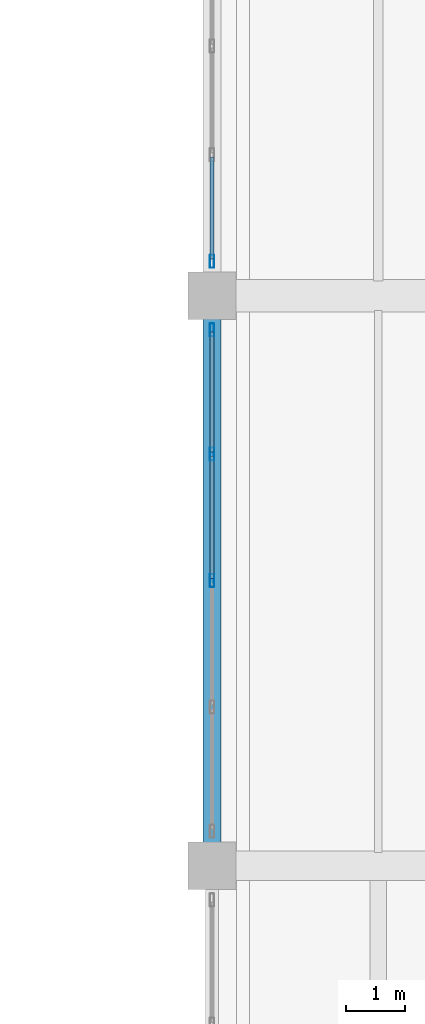
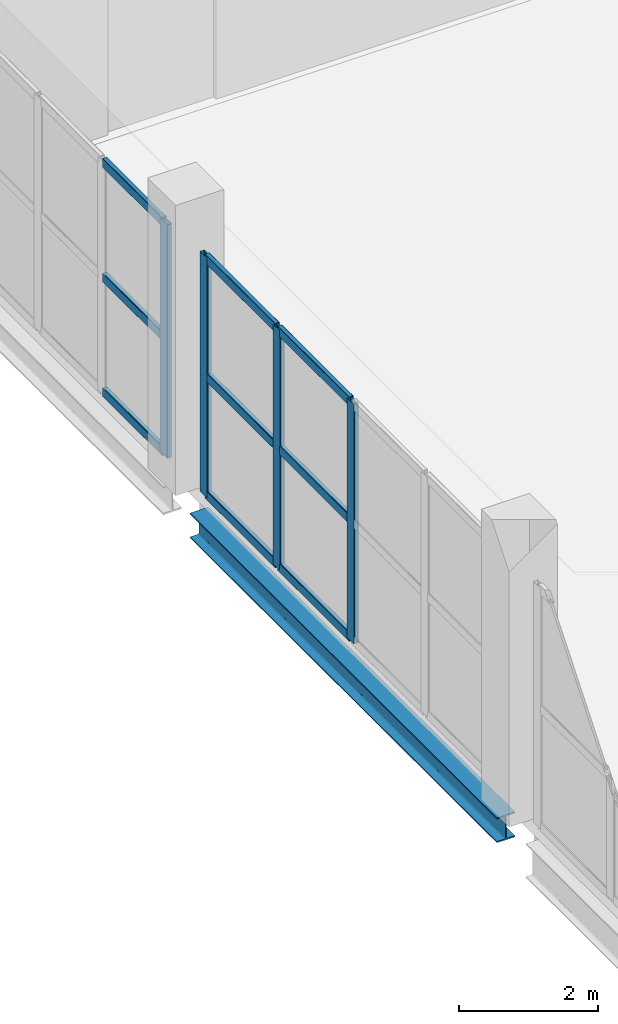
# One storey, part 44 of 73: 13 members, 1 beam, 2 elements without a shape of their own.
"""IFC4 building model written with IfcOpenShell, lengths in metres."""

import ifcopenshell
import ifcopenshell.guid

model = None  # the IFC model being written
_history = None  # IfcOwnerHistory: only IFC2X3 demands one
_inside = {}  # id of a spatial element -> (the spatial element, [elements in it])
_under = {}  # id of a project, library or spatial element -> (it, [spatial elements below it])
_declared = {}  # id of a project -> (the project, [libraries it declares])
_typed = {}  # id of a type object -> (the type object, [elements of that type])
_made_of = {}  # id of a material, layer set ... -> (it, [elements and type objects made of it])


def new_model(schema):
    """Start an empty IFC model of exactly this schema.

    Asked for "IFC4X3", IfcOpenShell would pick the latest addendum, in which some entities
    have other attributes; the version numbers below select the first issue.
    IFC2X3 requires an IfcOwnerHistory on every rooted entity: one is made here for all.
    """
    global model, _history
    if schema == "IFC4X3":
        model = ifcopenshell.file(schema_version=(4, 3, 0, 0))
    else:
        model = ifcopenshell.file(schema=schema)
    _inside.clear()
    _under.clear()
    _declared.clear()
    _typed.clear()
    _made_of.clear()
    _history = None
    if model.schema == "IFC2X3":
        org = make("IfcOrganization", Name="unknown")
        user = make(
            "IfcPersonAndOrganization",
            ThePerson=make("IfcPerson", FamilyName="unknown"),
            TheOrganization=org,
        )
        app = make(
            "IfcApplication",
            ApplicationDeveloper=org,
            Version="unknown",
            ApplicationFullName="unknown",
            ApplicationIdentifier="unknown",
        )
        _history = make(
            "IfcOwnerHistory",
            OwningUser=user,
            OwningApplication=app,
            ChangeAction="ADDED",
            CreationDate=0,
        )
    return model


def make(cls, **values):
    """One entity of the class cls with the attributes given. An attribute that is None is left unset."""
    return model.create_entity(
        cls, **{name: value for name, value in values.items() if value is not None}
    )


def rooted(cls, **values):
    """An entity with a GlobalId (a new one), such as an element, a storey or a relation."""
    return make(cls, GlobalId=ifcopenshell.guid.new(), OwnerHistory=_history, **values)


def si_unit(unit_type, name, prefix=None):
    """IfcSIUnit, for example si_unit("LENGTHUNIT", "METRE", prefix="MILLI")."""
    return make("IfcSIUnit", UnitType=unit_type, Prefix=prefix, Name=name)


def assignment(units):
    """IfcUnitAssignment: the units of a project."""
    return None if units is None else make("IfcUnitAssignment", Units=units)


def point(xyz):
    """IfcCartesianPoint."""
    return None if xyz is None else make("IfcCartesianPoint", Coordinates=xyz)


def direction(xyz):
    """IfcDirection."""
    return None if xyz is None else make("IfcDirection", DirectionRatios=xyz)


def frame(location, z_axis=None, x_axis=None):
    """IfcAxis2Placement3D, a coordinate frame: its origin and axes. An axis left out is left unset."""
    return make(
        "IfcAxis2Placement3D",
        Location=point(location),
        Axis=direction(z_axis),
        RefDirection=direction(x_axis),
    )


def frame_2d(location, x_axis=None):
    """IfcAxis2Placement2D, a coordinate frame in the plane: its origin and x axis."""
    return make(
        "IfcAxis2Placement2D", Location=point(location), RefDirection=direction(x_axis)
    )


def origin():
    """The frame at (0, 0, 0) with its axes left unset."""
    return frame((0.0, 0.0, 0.0))


def origin_2d():
    """The frame at (0, 0) in the plane with its x axis left unset."""
    return frame_2d((0.0, 0.0))


def place(relative_to, where):
    """IfcLocalPlacement: puts the frame where relative to a parent placement (None: the world)."""
    return make(
        "IfcLocalPlacement", PlacementRelTo=relative_to, RelativePlacement=where
    )


def context(
    kind, dimensions, precision=None, world=None, true_north=None, identifier=None
):
    """IfcGeometricRepresentationContext, for example the 3D "Model" context."""
    return make(
        "IfcGeometricRepresentationContext",
        ContextIdentifier=identifier,
        ContextType=kind,
        CoordinateSpaceDimension=dimensions,
        Precision=precision,
        WorldCoordinateSystem=world,
        TrueNorth=true_north,
    )


def subcontext(parent, identifier, kind, view, scale=None):
    """IfcGeometricRepresentationSubContext, for example "Body" below "Model"."""
    return make(
        "IfcGeometricRepresentationSubContext",
        ContextIdentifier=identifier,
        ContextType=kind,
        ParentContext=parent,
        TargetScale=scale,
        TargetView=view,
    )


def project(units=None, contexts=None):
    """IfcProject with its units and contexts."""
    return rooted(
        "IfcProject",
        Name="project",
        RepresentationContexts=contexts,
        UnitsInContext=assignment(units),
    )


def spatial(cls, under=None, at=None, **own):
    """A site, building, storey or space (cls), placed at a placement, below another one or the project."""
    s = rooted(cls, ObjectPlacement=at, **own)
    if under is not None:
        _under.setdefault(under.id(), (under, []))[1].append(s)
    return s


def profile(cls, at=None, kind="AREA", **sizes):
    """A parametric profile (cls). Its sizes go by their IFC names, for example OverallWidth=200.0."""
    return make(cls, ProfileType=kind, Position=at, **sizes)


def hollow_rectangle(**sizes):
    """IfcRectangleHollowProfileDef."""
    return profile("IfcRectangleHollowProfileDef", **sizes)


def i_section(**sizes):
    """IfcIShapeProfileDef."""
    return profile("IfcIShapeProfileDef", **sizes)


def extrude(swept, where, along, depth):
    """IfcExtrudedAreaSolid: the profile swept, set in the frame where, extruded along a direction by depth."""
    return make(
        "IfcExtrudedAreaSolid",
        SweptArea=swept,
        Position=where,
        ExtrudedDirection=direction(along),
        Depth=depth,
    )


def shape(context_of_items, identifier, shape_type, items):
    """IfcShapeRepresentation: the items that make up one representation, for example the "Body"."""
    return make(
        "IfcShapeRepresentation",
        ContextOfItems=context_of_items,
        RepresentationIdentifier=identifier,
        RepresentationType=shape_type,
        Items=items,
    )


def material(Name=None, Category=None):
    """IfcMaterial."""
    return make("IfcMaterial", Name=Name, Category=Category)


def layer(
    of_material, thickness, ventilated=None, Name=None, Category=None, Priority=None
):
    """IfcMaterialLayer: one layer of a wall or slab, of a material (None: an air gap)."""
    return make(
        "IfcMaterialLayer",
        Material=of_material,
        LayerThickness=thickness,
        IsVentilated=ventilated,
        Name=Name,
        Category=Category,
        Priority=Priority,
    )


def layer_set(layers, Name=None):
    """IfcMaterialLayerSet."""
    return make("IfcMaterialLayerSet", MaterialLayers=layers, LayerSetName=Name)


def material_profile(
    of_material, cross_section, Name=None, Category=None, Priority=None
):
    """IfcMaterialProfile: a cross section and its material."""
    return make(
        "IfcMaterialProfile",
        Name=Name,
        Material=of_material,
        Profile=cross_section,
        Priority=Priority,
        Category=Category,
    )


def profile_set(profiles, Name=None, composite=None):
    """IfcMaterialProfileSet."""
    return make(
        "IfcMaterialProfileSet",
        Name=Name,
        MaterialProfiles=profiles,
        CompositeProfile=composite,
    )


def made_of(thing, what):
    """Note that an element or type object is made of a material, layer set ...; save() writes the relation."""
    if what is not None:
        _made_of.setdefault(what.id(), (what, []))[1].append(thing)
    return thing


def type_object(cls, material=None, **own):
    """A type object (cls), such as IfcWallType, which elements share."""
    return made_of(rooted(cls, **own), material)


def element(
    cls,
    number,
    at=None,
    inside=None,
    cuts=None,
    type_object=None,
    material=None,
    context=None,
    identifier="Body",
    shape_type=None,
    held_by="IfcProductDefinitionShape",
    body=None,
    shapes=None,
    **own,
):
    """One element of the class cls, such as IfcWall. Its Tag is "e" and its number.

    at: its placement. inside: the storey or other place that contains it. cuts: it is an
    opening in that element (IfcRelVoidsElement). A single representation is given by context,
    identifier, shape_type and body (its items); several are given by shapes. held_by: the class
    of the entity that holds the representations. save() writes the other relations.
    """
    e = rooted(cls, Tag="e%d" % number, ObjectPlacement=at, **own)
    if body is not None:
        shapes = [shape(context, identifier, shape_type, body)]
    if shapes is not None:
        e.Representation = make(held_by, Representations=shapes)
    if inside is not None:
        _inside.setdefault(inside.id(), (inside, []))[1].append(e)
    if cuts is not None:
        rooted(
            "IfcRelVoidsElement", RelatingBuildingElement=cuts, RelatedOpeningElement=e
        )
    if type_object is not None:
        _typed.setdefault(type_object.id(), (type_object, []))[1].append(e)
    return made_of(e, material)


def aggregate(whole, parts):
    """IfcRelAggregates: a whole, such as a stair, and the parts it consists of."""
    return rooted("IfcRelAggregates", RelatingObject=whole, RelatedObjects=parts)


def save(model, path):
    """Write the relations noted so far, then the file.

    IfcRelAggregates (storeys below a building ...), IfcRelContainedInSpatialStructure (elements
    in a storey), IfcRelDefinesByType, IfcRelAssociatesMaterial and IfcRelDeclares: one each for
    every whole, place, type object, material and project.
    """
    for whole, parts in _under.values():
        aggregate(whole, parts)
    for where, things in _inside.values():
        rooted(
            "IfcRelContainedInSpatialStructure",
            RelatedElements=things,
            RelatingStructure=where,
        )
    for kind, things in _typed.values():
        rooted("IfcRelDefinesByType", RelatedObjects=things, RelatingType=kind)
    for what, things in _made_of.values():
        rooted("IfcRelAssociatesMaterial", RelatedObjects=things, RelatingMaterial=what)
    for by, libraries in _declared.values():
        rooted("IfcRelDeclares", RelatingContext=by, RelatedDefinitions=libraries)
    model.write(path)


model = new_model("IFC4")

# Units and contexts
model_context = context("Model", 3, precision=1e-05, world=origin(), true_north=direction((0.0, 1.0)))
body_context = subcontext(model_context, "Body", "Model", "MODEL_VIEW")
ifc_project = project(units=[si_unit("LENGTHUNIT", "METRE"), si_unit("AREAUNIT", "SQUARE_METRE"), si_unit("VOLUMEUNIT", "CUBIC_METRE"), si_unit("PLANEANGLEUNIT", "RADIAN"), si_unit("MASSUNIT", "GRAM", prefix="KILO")], contexts=[model_context])

# Site, building, storey
site_placement = place(None, origin())
site = spatial("IfcSite", under=ifc_project, at=site_placement, CompositionType="ELEMENT")
building_placement = place(site_placement, origin())
building = spatial("IfcBuilding", under=site, at=building_placement, Name="Zulmaris Art Gallery", CompositionType="ELEMENT")
storey_placement = place(building_placement, frame((0.0, 0.0, 10.5)))
storey = spatial("IfcBuildingStorey", under=building, at=storey_placement, Name="L02", CompositionType="ELEMENT", Elevation=10.5)

# Beam
ifc_material_1 = material(Name="Steel S355J2", Category="steel")
ifc_material_profile_1 = material_profile(ifc_material_1, i_section(OverallWidth=0.300048828125, OverallDepth=0.43994140625, WebThickness=0.011474609375, FlangeThickness=0.02099609375, FilletRadius=0.027099609375, at=origin_2d()), Name="HEA 450")
ifc_profile_set_1 = profile_set([ifc_material_profile_1], Name="Steel S355J2")
beam_type = type_object("IfcBeamType", Name="BEAM-BM10", PredefinedType="BEAM", material=ifc_profile_set_1)
beam_placement = place(storey_placement, frame((183.60009765625, 41.18505859375, -0.6201171875), z_axis=(0.0, 1.0, 0.0), x_axis=(-1.0, 0.0, 0.0)))
element("IfcBeam", 1, at=beam_placement, inside=storey, type_object=beam_type, Name="L02 Y-girder (x=183.6, 40.8..50.4)", PredefinedType="BEAM", context=body_context, shape_type="SweptSolid", body=[
    extrude(i_section(OverallWidth=0.300048828125, OverallDepth=0.43994140625, WebThickness=0.011474609375, FlangeThickness=0.02099609375, FilletRadius=0.027099609375, at=origin_2d()), origin(), (0.0, 0.0, 1.0), 8.829833984375),
])

# Curtain wall, members
ifc_material_2 = material(Name="Courtyard Artists Studio Curtain Wall", Category="aluminium")
ifc_layer = layer(ifc_material_2, 0.179931640625)
ifc_layer_set = layer_set([ifc_layer], Name="Courtyard Artists Studio Curtain Wall")
curtain_wall_type = type_object("IfcCurtainWallType", Name="CW-CW04", PredefinedType="NOTDEFINED", material=ifc_layer_set)
curtain_wall_1_placement = place(storey_placement, origin())
curtain_wall_1 = element("IfcCurtainWall", 2, at=curtain_wall_1_placement, inside=storey, type_object=curtain_wall_type, Name="L02 curtain wall 138", PredefinedType="NOTDEFINED")
ifc_material_3 = material(Name="Anodised Bronze Aluminium", Category="aluminium")
ifc_material_profile_2 = material_profile(ifc_material_3, hollow_rectangle(XDim=0.074951171875, YDim=0.219970703125, WallThickness=0.0048828125, InnerFilletRadius=0.007568359375, OuterFilletRadius=0.012451171875, at=origin_2d()), Name="ALU 75x220x5")
ifc_profile_set_2 = profile_set([ifc_material_profile_2], Name="Anodised Bronze Aluminium")
member_type_1 = type_object("IfcMemberType", Name="CWMUL-02", PredefinedType="MULLION", material=ifc_profile_set_2)
member_1_placement = place(storey_placement, frame((183.60009765625, 49.822509765625, 0.0), z_axis=(0.0, 0.0, 1.0), x_axis=(1.0, 0.0, 0.0)))
member_1 = element("IfcMember", 3, at=member_1_placement, type_object=member_type_1, Name="CW04 mullion 1", PredefinedType="MULLION", context=body_context, shape_type="SweptSolid", body=[
    extrude(hollow_rectangle(XDim=0.074951171875, YDim=0.219970703125, WallThickness=0.0048828125, InnerFilletRadius=0.007568359375, OuterFilletRadius=0.012451171875, at=origin_2d()), origin(), (0.0, 0.0, 1.0), 4.2099609375),
])
member_2_placement = place(storey_placement, frame((183.60009765625, 47.72998046875, 0.0), z_axis=(0.0, 0.0, 1.0), x_axis=(1.0, 0.0, 0.0)))
member_2 = element("IfcMember", 4, at=member_2_placement, type_object=member_type_1, Name="CW04 mullion 2", PredefinedType="MULLION", context=body_context, shape_type="SweptSolid", body=[
    extrude(hollow_rectangle(XDim=0.074951171875, YDim=0.219970703125, WallThickness=0.0048828125, InnerFilletRadius=0.007568359375, OuterFilletRadius=0.012451171875, at=origin_2d()), origin(), (0.0, 0.0, 1.0), 4.2099609375),
])
member_3_placement = place(storey_placement, frame((183.60009765625, 45.60009765625, 0.0), z_axis=(0.0, 0.0, 1.0), x_axis=(1.0, 0.0, 0.0)))
member_3 = element("IfcMember", 5, at=member_3_placement, type_object=member_type_1, Name="CW04 mullion 3", PredefinedType="MULLION", context=body_context, shape_type="SweptSolid", body=[
    extrude(hollow_rectangle(XDim=0.074951171875, YDim=0.219970703125, WallThickness=0.0048828125, InnerFilletRadius=0.007568359375, OuterFilletRadius=0.012451171875, at=origin_2d()), origin(), (0.0, 0.0, 1.0), 4.2099609375),
])

# Curtain wall, member
curtain_wall_2_placement = place(storey_placement, origin())
curtain_wall_2 = element("IfcCurtainWall", 6, at=curtain_wall_2_placement, inside=storey, type_object=curtain_wall_type, Name="L02 curtain wall 140", PredefinedType="NOTDEFINED")
member_4_placement = place(storey_placement, frame((183.60009765625, 50.9775390625, 0.0), z_axis=(0.0, 0.0, 1.0), x_axis=(1.0, 0.0, 0.0)))
member_4 = element("IfcMember", 7, at=member_4_placement, type_object=member_type_1, Name="CW04 mullion 5", PredefinedType="MULLION", context=body_context, shape_type="SweptSolid", body=[
    extrude(hollow_rectangle(XDim=0.074951171875, YDim=0.219970703125, WallThickness=0.0048828125, InnerFilletRadius=0.007568359375, OuterFilletRadius=0.012451171875, at=origin_2d()), origin(), (0.0, 0.0, 1.0), 4.10009765625),
])

# Member
ifc_material_profile_3 = material_profile(ifc_material_3, hollow_rectangle(XDim=0.074951171875, YDim=0.159912109375, WallThickness=0.00390625, InnerFilletRadius=0.006103515625, OuterFilletRadius=0.010009765625, at=origin_2d()), Name="ALU 75x160x4")
ifc_profile_set_3 = profile_set([ifc_material_profile_3], Name="Anodised Bronze Aluminium")
member_type_2 = type_object("IfcMemberType", Name="CWTRN-02", PredefinedType="USERDEFINED", material=ifc_profile_set_3)
member_5_placement = place(storey_placement, frame((183.60009765625, 49.784912109375, 0.03759765625), z_axis=(0.0, -1.0, 0.0), x_axis=(1.0, 0.0, 0.0)))
member_5 = element("IfcMember", 8, at=member_5_placement, type_object=member_type_2, Name="CW04 transom 1.1", ObjectType="TRANSOM", PredefinedType="USERDEFINED", context=body_context, shape_type="SweptSolid", body=[
    extrude(hollow_rectangle(XDim=0.074951171875, YDim=0.159912109375, WallThickness=0.00390625, InnerFilletRadius=0.006103515625, OuterFilletRadius=0.010009765625, at=origin_2d()), origin(), (0.0, 0.0, 1.0), 2.017333984375),
])

member_6_placement = place(storey_placement, frame((183.60009765625, 49.784912109375, 2.10498046875), z_axis=(0.0, -1.0, 0.0), x_axis=(1.0, 0.0, 0.0)))
member_6 = element("IfcMember", 9, at=member_6_placement, type_object=member_type_2, Name="CW04 transom 1.2", ObjectType="TRANSOM", PredefinedType="USERDEFINED", context=body_context, shape_type="SweptSolid", body=[
    extrude(hollow_rectangle(XDim=0.074951171875, YDim=0.159912109375, WallThickness=0.00390625, InnerFilletRadius=0.006103515625, OuterFilletRadius=0.010009765625, at=origin_2d()), origin(), (0.0, 0.0, 1.0), 2.017333984375),
])

member_7_placement = place(storey_placement, frame((183.60009765625, 49.784912109375, 4.172607421875), z_axis=(0.0, -1.0, 0.0), x_axis=(1.0, 0.0, 0.0)))
member_7 = element("IfcMember", 10, at=member_7_placement, type_object=member_type_2, Name="CW04 transom 1.3", ObjectType="TRANSOM", PredefinedType="USERDEFINED", context=body_context, shape_type="SweptSolid", body=[
    extrude(hollow_rectangle(XDim=0.074951171875, YDim=0.159912109375, WallThickness=0.00390625, InnerFilletRadius=0.006103515625, OuterFilletRadius=0.010009765625, at=origin_2d()), origin(), (0.0, 0.0, 1.0), 2.017333984375),
])

member_8_placement = place(storey_placement, frame((183.60009765625, 47.6923828125, 0.03759765625), z_axis=(0.0, -1.0, 0.0), x_axis=(1.0, 0.0, 0.0)))
member_8 = element("IfcMember", 11, at=member_8_placement, type_object=member_type_2, Name="CW04 transom 2.1", ObjectType="TRANSOM", PredefinedType="USERDEFINED", context=body_context, shape_type="SweptSolid", body=[
    extrude(hollow_rectangle(XDim=0.074951171875, YDim=0.159912109375, WallThickness=0.00390625, InnerFilletRadius=0.006103515625, OuterFilletRadius=0.010009765625, at=origin_2d()), origin(), (0.0, 0.0, 1.0), 2.054931640625),
])

member_9_placement = place(storey_placement, frame((183.60009765625, 47.6923828125, 2.10498046875), z_axis=(0.0, -1.0, 0.0), x_axis=(1.0, 0.0, 0.0)))
member_9 = element("IfcMember", 12, at=member_9_placement, type_object=member_type_2, Name="CW04 transom 2.2", ObjectType="TRANSOM", PredefinedType="USERDEFINED", context=body_context, shape_type="SweptSolid", body=[
    extrude(hollow_rectangle(XDim=0.074951171875, YDim=0.159912109375, WallThickness=0.00390625, InnerFilletRadius=0.006103515625, OuterFilletRadius=0.010009765625, at=origin_2d()), origin(), (0.0, 0.0, 1.0), 2.054931640625),
])

member_10_placement = place(storey_placement, frame((183.60009765625, 47.6923828125, 4.172607421875), z_axis=(0.0, -1.0, 0.0), x_axis=(1.0, 0.0, 0.0)))
member_10 = element("IfcMember", 13, at=member_10_placement, type_object=member_type_2, Name="CW04 transom 2.3", ObjectType="TRANSOM", PredefinedType="USERDEFINED", context=body_context, shape_type="SweptSolid", body=[
    extrude(hollow_rectangle(XDim=0.074951171875, YDim=0.159912109375, WallThickness=0.00390625, InnerFilletRadius=0.006103515625, OuterFilletRadius=0.010009765625, at=origin_2d()), origin(), (0.0, 0.0, 1.0), 2.054931640625),
])

aggregate(curtain_wall_1, [member_1, member_2, member_3, member_5, member_6, member_7, member_8, member_9, member_10])

member_11_placement = place(storey_placement, frame((183.60009765625, 52.732421875, 0.03759765625), z_axis=(0.0, -1.0, 0.0), x_axis=(1.0, 0.0, 0.0)))
member_11 = element("IfcMember", 14, at=member_11_placement, type_object=member_type_2, Name="CW04 transom 4.1", ObjectType="TRANSOM", PredefinedType="USERDEFINED", context=body_context, shape_type="SweptSolid", body=[
    extrude(hollow_rectangle(XDim=0.074951171875, YDim=0.159912109375, WallThickness=0.00390625, InnerFilletRadius=0.006103515625, OuterFilletRadius=0.010009765625, at=origin_2d()), origin(), (0.0, 0.0, 1.0), 1.717529296875),
])

member_12_placement = place(storey_placement, frame((183.60009765625, 52.732421875, 2.050048828125), z_axis=(0.0, -1.0, 0.0), x_axis=(1.0, 0.0, 0.0)))
member_12 = element("IfcMember", 15, at=member_12_placement, type_object=member_type_2, Name="CW04 transom 4.2", ObjectType="TRANSOM", PredefinedType="USERDEFINED", context=body_context, shape_type="SweptSolid", body=[
    extrude(hollow_rectangle(XDim=0.074951171875, YDim=0.159912109375, WallThickness=0.00390625, InnerFilletRadius=0.006103515625, OuterFilletRadius=0.010009765625, at=origin_2d()), origin(), (0.0, 0.0, 1.0), 1.717529296875),
])

member_13_placement = place(storey_placement, frame((183.60009765625, 52.732421875, 4.0625), z_axis=(0.0, -1.0, 0.0), x_axis=(1.0, 0.0, 0.0)))
member_13 = element("IfcMember", 16, at=member_13_placement, type_object=member_type_2, Name="CW04 transom 4.3", ObjectType="TRANSOM", PredefinedType="USERDEFINED", context=body_context, shape_type="SweptSolid", body=[
    extrude(hollow_rectangle(XDim=0.074951171875, YDim=0.159912109375, WallThickness=0.00390625, InnerFilletRadius=0.006103515625, OuterFilletRadius=0.010009765625, at=origin_2d()), origin(), (0.0, 0.0, 1.0), 1.717529296875),
])

aggregate(curtain_wall_2, [member_4, member_11, member_12, member_13])

save(model, "model.ifc")
